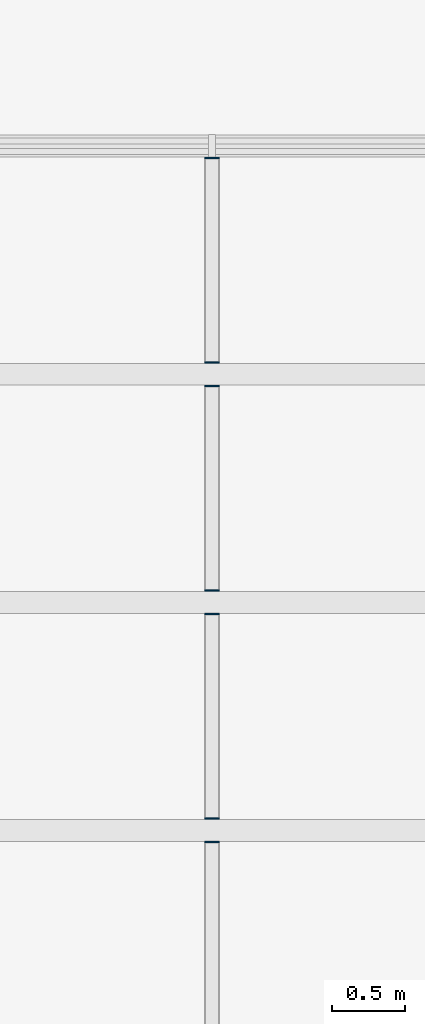
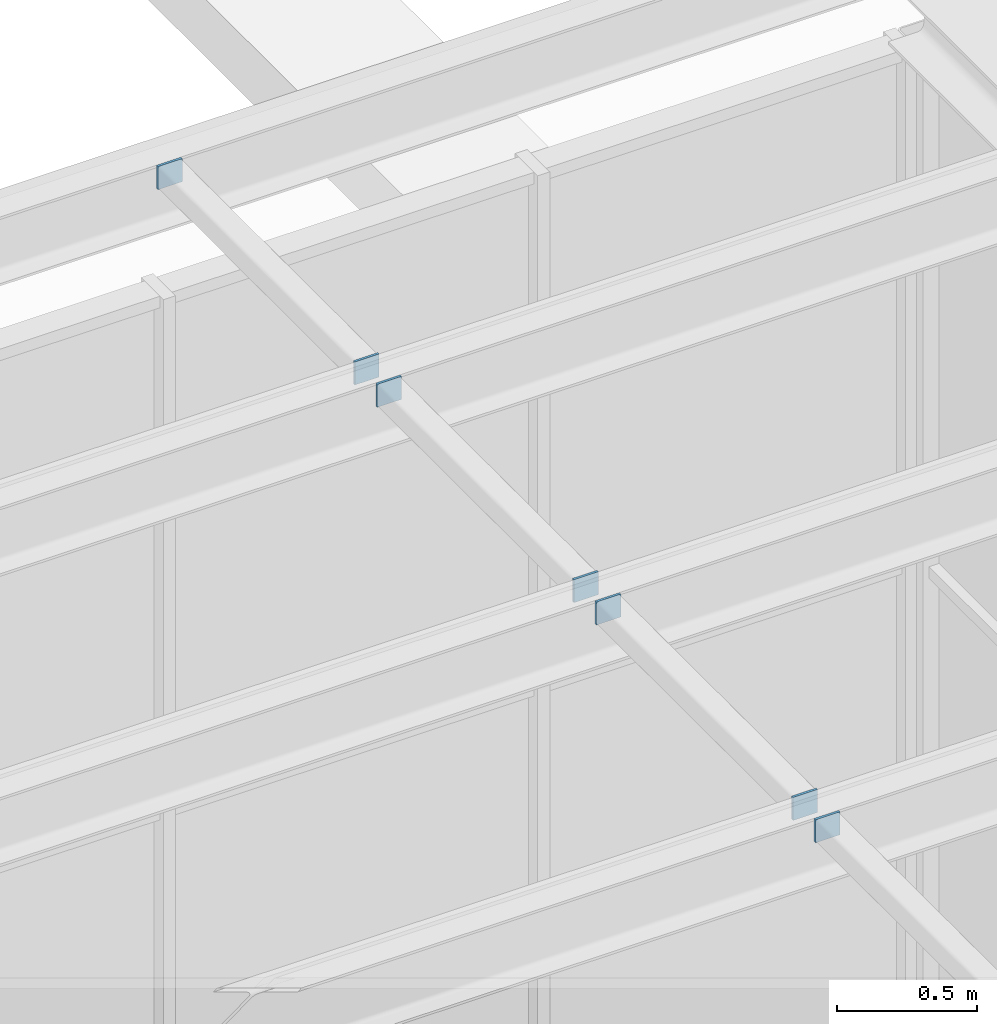
# One storey, part 22 of 25: 7 discrete accessories.
"""IFC4 building model written with IfcOpenShell, lengths in metres."""

from ifc_helpers import new_model, si_unit, direction, frame, origin, origin_2d, place, context, subcontext, project, spatial, rectangle, extrude, material, layer, layer_set, type_object, element, save


model = new_model("IFC4")

# Units and contexts
model_context = context("Model", 3, precision=1e-05, world=origin(), true_north=direction((0.0, 1.0)))
body_context = subcontext(model_context, "Body", "Model", "MODEL_VIEW")
ifc_project = project(units=[si_unit("LENGTHUNIT", "METRE"), si_unit("AREAUNIT", "SQUARE_METRE"), si_unit("VOLUMEUNIT", "CUBIC_METRE"), si_unit("PLANEANGLEUNIT", "RADIAN"), si_unit("MASSUNIT", "GRAM", prefix="KILO")], contexts=[model_context])

# Site, building, storey
site_placement = place(None, origin())
site = spatial("IfcSite", under=ifc_project, at=site_placement, CompositionType="ELEMENT")
building_placement = place(site_placement, origin())
building = spatial("IfcBuilding", under=site, at=building_placement, Name="Aurelan Courthouse", CompositionType="ELEMENT")
storey_placement = place(building_placement, frame((0.0, 0.0, 44.39990234375)))
storey = spatial("IfcBuildingStorey", under=building, at=storey_placement, Name="L08", CompositionType="ELEMENT", Elevation=44.39990234375)

# Discrete accessories
ifc_material = material(Name="Steel S355", Category="steel")
ifc_layer = layer(ifc_material, 0.010009765625)
ifc_layer_set = layer_set([ifc_layer], Name="Steel S355")
discrete_accessory_type = type_object("IfcDiscreteAccessoryType", Name="Purlin end plate 100 x 100 x 10", PredefinedType="ANCHORPLATE", material=ifc_layer_set)
for number, where, z_axis, x_axis, name in (
    (1, (58.5, 47.889892578125, 4.989990234375), (0.0, 0.0, 1.0), (1.0, 0.0, 0.0), "Purlin end plate LPE-V22-0201-2"),
    (2, (58.5, 48.050048828125, 4.989990234375), (0.0, 0.0, 1.0), (1.0, 0.0, 0.0), "Purlin end plate LPE-V22-0301-1"),
    (3, (58.5, 49.449951171875, 4.989990234375), (0.0, 0.0, 1.0), (1.0, 0.0, 0.0), "Purlin end plate LPE-V22-0301-2"),
    (4, (58.5, 49.610107421875, 4.989990234375), (0.0, 0.0, 1.0), (1.0, 0.0, 0.0), "Purlin end plate LPE-V22-0401-1"),
    (5, (58.5, 51.010009765625, 4.989990234375), (0.0, 0.0, 1.0), (1.0, 0.0, 0.0), "Purlin end plate LPE-V22-0401-2"),
    (6, (58.5, 51.169921875, 4.989990234375), (0.0, 0.0, 1.0), (1.0, 0.0, 0.0), "Purlin end plate LPE-V22-0501-1"),
    (7, (58.5, 52.570068359375, 4.989990234375), (0.0, 0.0, 1.0), (1.0, 0.0, 0.0), "Purlin end plate LPE-V22-0501-2"),
):
    element("IfcDiscreteAccessory", number, at=place(storey_placement, frame(where, z_axis=z_axis, x_axis=x_axis)), inside=storey, type_object=discrete_accessory_type, Name=name, PredefinedType="ANCHORPLATE", context=body_context, shape_type="SweptSolid", body=[
        extrude(rectangle(XDim=0.10009765625, YDim=0.010009765625, at=origin_2d()), origin(), (0.0, 0.0, 1.0), 0.10009765625),
    ])

save(model, "model.ifc")
